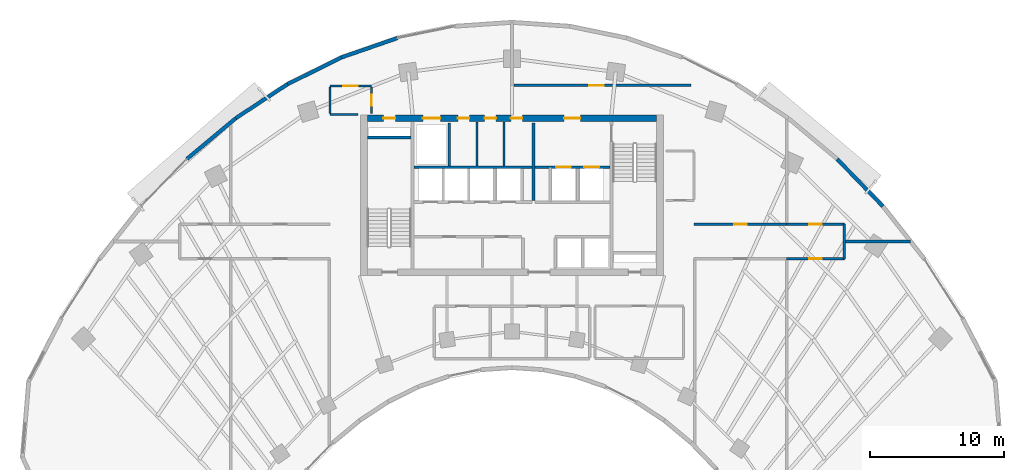
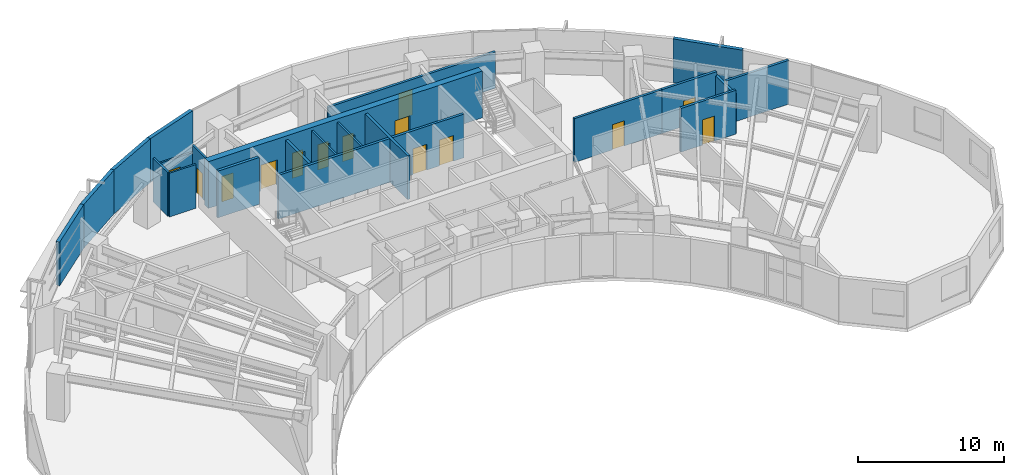
# One storey, part 10 of 14: 23 walls, 14 doors, 14 openings.
"""IFC4 building model written with IfcOpenShell, lengths in metres."""

from ifc_helpers import new_model, si_unit, direction, frame, frame_2d, origin, place, context, subcontext, project, spatial, rectangle, extrude, source, transform, mapped, material, layer, layer_set, type_object, type_shapes, element, fill, save


model = new_model("IFC4")

# Units and contexts
model_context = context("Model", 3, precision=1e-05, world=origin(), true_north=direction((0.0, 1.0)))
body_context = subcontext(model_context, "Body", "Model", "MODEL_VIEW")
ifc_project = project(units=[si_unit("LENGTHUNIT", "METRE"), si_unit("AREAUNIT", "SQUARE_METRE"), si_unit("VOLUMEUNIT", "CUBIC_METRE"), si_unit("PLANEANGLEUNIT", "RADIAN"), si_unit("MASSUNIT", "GRAM", prefix="KILO")], contexts=[model_context])

# Site, building, storey
site_placement = place(None, origin())
site = spatial("IfcSite", under=ifc_project, at=site_placement, CompositionType="ELEMENT")
building_placement = place(site_placement, origin())
building = spatial("IfcBuilding", under=site, at=building_placement, Name="Breltana Convention Tower", CompositionType="ELEMENT")
storey_placement = place(building_placement, frame((0.0, 0.0, 111.60009765625)))
storey = spatial("IfcBuildingStorey", under=building, at=storey_placement, Name="L26", CompositionType="ELEMENT", Elevation=111.60009765625)

# Wall, openings, doors
ifc_material_1 = material(Name="Concrete C60/75", Category="concrete")
ifc_layer_1 = layer(ifc_material_1, 0.5, Name="Concrete C60/75")
ifc_layer_set_1 = layer_set([ifc_layer_1], Name="Concrete C60/75")
wall_type_1 = type_object("IfcWallType", Name="SW-CORE-500", PredefinedType="SHEAR", material=ifc_layer_set_1)
shared_shape_1 = source(origin(), body_context, "Body", "SweptSolid", [
    extrude(rectangle(XDim=21.60009765625, YDim=0.5, at=frame_2d((10.800048828125, 0.0))), origin(), (0.0, 0.0, 1.0), 3.89990234375),
])
wall_1_placement = place(storey_placement, frame((37.199951171875, 71.949951171875, 0.0), z_axis=(0.0, 0.0, 1.0), x_axis=(1.0, 0.0, 0.0)))
wall_1 = element("IfcWall", 1, at=wall_1_placement, inside=storey, type_object=wall_type_1, Name="L26 North Core Shear Wall", PredefinedType="SHEAR", context=body_context, shape_type="MappedRepresentation", body=[
    mapped(shared_shape_1, transform((0.0, 0.0, 0.0), scale=1.0)),
])
opening_1_placement = place(wall_1_placement, frame((1.199951171875, 0.0, 0.0)))
opening_1 = element("IfcOpeningElement", 2, at=opening_1_placement, cuts=wall_1, Name="Opening D-18", PredefinedType="OPENING", context=body_context, shape_type="SweptSolid", body=[
    extrude(rectangle(XDim=0.89990234375, YDim=2.10009765625, at=frame_2d((0.449951171875, 1.050048828125))), frame((0.0, 0.260009765625, 0.0), z_axis=(0.0, -1.0, 0.0), x_axis=(1.0, 0.0, 0.0)), (0.0, 0.0, 1.0), 0.52001953125),
])
opening_2_placement = place(wall_1_placement, frame((14.699951171875, 0.0, 0.0)))
opening_2 = element("IfcOpeningElement", 3, at=opening_2_placement, cuts=wall_1, Name="Opening D-09", PredefinedType="OPENING", context=body_context, shape_type="SweptSolid", body=[
    extrude(rectangle(XDim=1.199951171875, YDim=2.14990234375, at=frame_2d((0.60009765625, 1.074951171875))), frame((0.0, 0.260009765625, 0.0), z_axis=(0.0, -1.0, 0.0), x_axis=(1.0, 0.0, 0.0)), (0.0, 0.0, 1.0), 0.52001953125),
])
opening_3_placement = place(wall_1_placement, frame((4.14990234375, 0.0, 0.0)))
opening_3 = element("IfcOpeningElement", 4, at=opening_3_placement, cuts=wall_1, Name="Opening LD-01", PredefinedType="OPENING", context=body_context, shape_type="SweptSolid", body=[
    extrude(rectangle(XDim=1.300048828125, YDim=2.14990234375, at=frame_2d((0.64990234375, 1.074951171875))), frame((0.0, 0.260009765625, 0.0), z_axis=(0.0, -1.0, 0.0), x_axis=(1.0, 0.0, 0.0)), (0.0, 0.0, 1.0), 0.52001953125),
])
opening_4_placement = place(wall_1_placement, frame((6.760009765625, 0.0, 0.0)))
opening_4 = element("IfcOpeningElement", 5, at=opening_4_placement, cuts=wall_1, Name="Opening D-20", PredefinedType="OPENING", context=body_context, shape_type="SweptSolid", body=[
    extrude(rectangle(XDim=0.85009765625, YDim=2.10009765625, at=frame_2d((0.425048828125, 1.050048828125))), frame((0.0, 0.260009765625, 0.0), z_axis=(0.0, -1.0, 0.0), x_axis=(1.0, 0.0, 0.0)), (0.0, 0.0, 1.0), 0.52001953125),
])
opening_5_placement = place(wall_1_placement, frame((8.760009765625, 0.0, 0.0)))
opening_5 = element("IfcOpeningElement", 6, at=opening_5_placement, cuts=wall_1, Name="Opening D-20", PredefinedType="OPENING", context=body_context, shape_type="SweptSolid", body=[
    extrude(rectangle(XDim=0.85009765625, YDim=2.10009765625, at=frame_2d((0.425048828125, 1.050048828125))), frame((0.0, 0.260009765625, 0.0), z_axis=(0.0, -1.0, 0.0), x_axis=(1.0, 0.0, 0.0)), (0.0, 0.0, 1.0), 0.52001953125),
])
opening_6_placement = place(wall_1_placement, frame((10.72509765625, 0.0, 0.0)))
opening_6 = element("IfcOpeningElement", 7, at=opening_6_placement, cuts=wall_1, Name="Opening D-20", PredefinedType="OPENING", context=body_context, shape_type="SweptSolid", body=[
    extrude(rectangle(XDim=0.85009765625, YDim=2.10009765625, at=frame_2d((0.425048828125, 1.050048828125))), frame((0.0, 0.260009765625, 0.0), z_axis=(0.0, -1.0, 0.0), x_axis=(1.0, 0.0, 0.0)), (0.0, 0.0, 1.0), 0.52001953125),
])
ifc_material_2 = material(Name="Steel Riser Fire Door", Category="steel")
door_type_1 = type_object("IfcDoorType", Name="DR-FD60-900", OperationType="NOTDEFINED", PredefinedType="DOOR", material=ifc_material_2)
shared_shape_2 = source(origin(), body_context, "Body", "SweptSolid", [
    extrude(rectangle(XDim=0.89990234375, YDim=2.10009765625, at=frame_2d((0.449951171875, 1.050048828125))), frame((0.0, 0.02490234375, 0.0), z_axis=(0.0, -1.0, 0.0), x_axis=(1.0, 0.0, 0.0)), (0.0, 0.0, 1.0), 0.050048828125),
])
type_shapes(door_type_1, [shared_shape_2])
door_1_placement = place(opening_1_placement, origin())
door_1 = element("IfcDoor", 8, at=door_1_placement, inside=storey, type_object=door_type_1, Name="L26 Core Riser Access Door D-L26-RS1", OperationType="SINGLE_SWING_LEFT", OverallHeight=2.10009765625, OverallWidth=0.89990234375, PredefinedType="DOOR", context=body_context, shape_type="MappedRepresentation", body=[
    mapped(shared_shape_2, transform((0.0, 0.0, 0.0), scale=1.0)),
])
fill(opening_1, door_1)
ifc_material_3 = material(Name="Steel Fire Lobby Door", Category="steel")
door_type_2 = type_object("IfcDoorType", Name="DR-FD120-1200", OperationType="NOTDEFINED", PredefinedType="DOOR", material=ifc_material_3)
shared_shape_3 = source(origin(), body_context, "Body", "SweptSolid", [
    extrude(rectangle(XDim=1.199951171875, YDim=2.14990234375, at=frame_2d((0.60009765625, 1.074951171875))), frame((0.0, 0.02490234375, 0.0), z_axis=(0.0, -1.0, 0.0), x_axis=(1.0, 0.0, 0.0)), (0.0, 0.0, 1.0), 0.050048828125),
])
type_shapes(door_type_2, [shared_shape_3])
door_2_placement = place(opening_2_placement, origin())
door_2 = element("IfcDoor", 9, at=door_2_placement, inside=storey, type_object=door_type_2, Name="L26 interior door D-L26-FFL-N", OperationType="SINGLE_SWING_RIGHT", OverallHeight=2.14990234375, OverallWidth=1.199951171875, PredefinedType="DOOR", context=body_context, shape_type="MappedRepresentation", body=[
    mapped(shared_shape_3, transform((0.0, 0.0, 0.0), scale=1.0)),
])
fill(opening_2, door_2)
ifc_material_4 = material(Name="Stainless Steel Brushed", Category="steel")
door_type_3 = type_object("IfcDoorType", Name="DR-LD-SRV-1300", OperationType="DOUBLE_DOOR_SLIDING", PredefinedType="DOOR", material=ifc_material_4)
shared_shape_4 = source(origin(), body_context, "Body", "SweptSolid", [
    extrude(rectangle(XDim=1.300048828125, YDim=2.14990234375, at=frame_2d((0.64990234375, 1.074951171875))), frame((0.0, 0.02490234375, 0.0), z_axis=(0.0, -1.0, 0.0), x_axis=(1.0, 0.0, 0.0)), (0.0, 0.0, 1.0), 0.050048828125),
])
type_shapes(door_type_3, [shared_shape_4])
door_3_placement = place(opening_3_placement, origin())
door_3 = element("IfcDoor", 10, at=door_3_placement, inside=storey, type_object=door_type_3, Name="L26 Lift Landing Door D-L26-LD-SV1", OperationType="DOUBLE_DOOR_SLIDING", OverallHeight=2.14990234375, OverallWidth=1.300048828125, PredefinedType="DOOR", context=body_context, shape_type="MappedRepresentation", body=[
    mapped(shared_shape_4, transform((0.0, 0.0, 0.0), scale=1.0)),
])
fill(opening_3, door_3)
ifc_material_5 = material(Name="Steel Closet Fire Door", Category="steel")
door_type_4 = type_object("IfcDoorType", Name="DR-FD60-850", OperationType="NOTDEFINED", PredefinedType="DOOR", material=ifc_material_5)
shared_shape_5 = source(origin(), body_context, "Body", "SweptSolid", [
    extrude(rectangle(XDim=0.85009765625, YDim=2.10009765625, at=frame_2d((0.425048828125, 1.050048828125))), frame((0.0, 0.02490234375, 0.0), z_axis=(0.0, -1.0, 0.0), x_axis=(1.0, 0.0, 0.0)), (0.0, 0.0, 1.0), 0.050048828125),
])
type_shapes(door_type_4, [shared_shape_5])
door_4_placement = place(opening_4_placement, origin())
door_4 = element("IfcDoor", 11, at=door_4_placement, inside=storey, type_object=door_type_4, Name="L26 interior door D-L26-CRA1", OperationType="SINGLE_SWING_RIGHT", OverallHeight=2.10009765625, OverallWidth=0.85009765625, PredefinedType="DOOR", context=body_context, shape_type="MappedRepresentation", body=[
    mapped(shared_shape_5, transform((0.0, 0.0, 0.0), scale=1.0)),
])
fill(opening_4, door_4)
door_5_placement = place(opening_5_placement, origin())
door_5 = element("IfcDoor", 12, at=door_5_placement, inside=storey, type_object=door_type_4, Name="L26 interior door D-L26-CRA2", OperationType="SINGLE_SWING_LEFT", OverallHeight=2.10009765625, OverallWidth=0.85009765625, PredefinedType="DOOR", context=body_context, shape_type="MappedRepresentation", body=[
    mapped(shared_shape_5, transform((0.0, 0.0, 0.0), scale=1.0)),
])
fill(opening_5, door_5)
door_6_placement = place(opening_6_placement, origin())
door_6 = element("IfcDoor", 13, at=door_6_placement, inside=storey, type_object=door_type_4, Name="L26 interior door D-L26-CRA3", OperationType="SINGLE_SWING_RIGHT", OverallHeight=2.10009765625, OverallWidth=0.85009765625, PredefinedType="DOOR", context=body_context, shape_type="MappedRepresentation", body=[
    mapped(shared_shape_5, transform((0.0, 0.0, 0.0), scale=1.0)),
])
fill(opening_6, door_6)

# Walls
ifc_material_6 = material(Name="Concrete C50/60", Category="concrete")
ifc_layer_2 = layer(ifc_material_6, 0.39990234375, Name="Concrete C50/60")
ifc_layer_set_2 = layer_set([ifc_layer_2], Name="Concrete C50/60")
wall_type_2 = type_object("IfcWallType", Name="SW-CORE-400", PredefinedType="SHEAR", material=ifc_layer_set_2)
shared_shape_6 = source(origin(), body_context, "Body", "SweptSolid", [
    extrude(rectangle(XDim=3.27001953125, YDim=0.219970703125, at=frame_2d((1.635009765625, 0.0))), origin(), (0.0, 0.0, 1.0), 3.89990234375),
])
wall_2_placement = place(storey_placement, frame((37.199951171875, 70.510009765625, 0.0), z_axis=(0.0, 0.0, 1.0), x_axis=(1.0, 0.0, 0.0)))
element("IfcWall", 14, at=wall_2_placement, inside=storey, type_object=wall_type_2, Name="L26 ST-1 Stairwell North Bearing Wall", PredefinedType="SHEAR", context=body_context, shape_type="MappedRepresentation", body=[
    mapped(shared_shape_6, transform((0.0, 0.0, 0.0), scale=1.0)),
])
ifc_material_7 = material(Name="Limestone Buff Insulated Wall", Category="masonry")
ifc_layer_3 = layer(ifc_material_7, 0.280029296875, Name="Limestone Buff Insulated Wall")
ifc_layer_set_3 = layer_set([ifc_layer_3], Name="Limestone Buff Insulated Wall")
wall_type_3 = type_object("IfcWallType", Name="WL-EXT-NOSE-280", PredefinedType="SOLIDWALL", material=ifc_layer_set_3)
shared_shape_7 = source(origin(), body_context, "Body", "SweptSolid", [
    extrude(rectangle(XDim=4.908447265625, YDim=0.280029296875, at=frame_2d((2.4541015625, 0.0))), origin(), (0.0, 0.0, 1.0), 3.64990234375),
])
wall_3_placement = place(storey_placement, frame((72.275390625, 68.907470703125, 0.0), z_axis=(0.0, 0.0, 1.0), x_axis=(0.694613154328, -0.719383462302, 0.0)))
element("IfcWall", 15, at=wall_3_placement, inside=storey, type_object=wall_type_3, Name="L26 curved limestone nose wall E31", PredefinedType="SOLIDWALL", context=body_context, shape_type="MappedRepresentation", body=[
    mapped(shared_shape_7, transform((0.0, 0.0, 0.0), scale=1.0)),
])
shared_shape_8 = source(origin(), body_context, "Body", "SweptSolid", [
    extrude(rectangle(XDim=4.76220703125, YDim=0.280029296875, at=frame_2d((2.381103515625, 0.0))), origin(), (0.0, 0.0, 1.0), 3.64990234375),
])
wall_4_placement = place(storey_placement, frame((23.724609375, 68.907470703125, 0.0), z_axis=(0.0, 0.0, 1.0), x_axis=(0.767952279762, 0.640507061638, 0.0)))
element("IfcWall", 16, at=wall_4_placement, inside=storey, type_object=wall_type_3, Name="L26 curved limestone nose wall E21", PredefinedType="SOLIDWALL", context=body_context, shape_type="MappedRepresentation", body=[
    mapped(shared_shape_8, transform((0.0, 0.0, 0.0), scale=1.0)),
])
shared_shape_9 = source(origin(), body_context, "Body", "SweptSolid", [
    extrude(rectangle(XDim=4.625732421875, YDim=0.280029296875, at=frame_2d((2.31298828125, 0.0))), origin(), (0.0, 0.0, 1.0), 3.64990234375),
])
wall_5_placement = place(storey_placement, frame((27.3818359375, 71.957763671875, 0.0), z_axis=(0.0, 0.0, 1.0), x_axis=(0.83595938331, 0.548791316855, 0.0)))
element("IfcWall", 17, at=wall_5_placement, inside=storey, type_object=wall_type_3, Name="L26 curved limestone nose wall E22", PredefinedType="SOLIDWALL", context=body_context, shape_type="MappedRepresentation", body=[
    mapped(shared_shape_9, transform((0.0, 0.0, 0.0), scale=1.0)),
])
shared_shape_10 = source(origin(), body_context, "Body", "SweptSolid", [
    extrude(rectangle(XDim=4.408935546875, YDim=0.280029296875, at=frame_2d((2.20458984375, 0.0))), origin(), (0.0, 0.0, 1.0), 3.64990234375),
])
wall_6_placement = place(storey_placement, frame((35.28564453125, 76.497314453125, 0.0), z_axis=(0.0, 0.0, 1.0), x_axis=(0.944879374121, 0.327418643881, 0.0)))
element("IfcWall", 18, at=wall_6_placement, inside=storey, type_object=wall_type_3, Name="L26 curved limestone nose wall E24", PredefinedType="SOLIDWALL", context=body_context, shape_type="MappedRepresentation", body=[
    mapped(shared_shape_10, transform((0.0, 0.0, 0.0), scale=1.0)),
])
shared_shape_11 = source(origin(), body_context, "Body", "SweptSolid", [
    extrude(rectangle(XDim=4.505615234375, YDim=0.280029296875, at=frame_2d((2.2529296875, 0.0))), origin(), (0.0, 0.0, 1.0), 3.64990234375),
])
wall_7_placement = place(storey_placement, frame((31.248779296875, 74.496337890625, 0.0), z_axis=(0.0, 0.0, 1.0), x_axis=(0.89597155075, 0.444111450254, 0.0)))
element("IfcWall", 19, at=wall_7_placement, inside=storey, type_object=wall_type_3, Name="L26 curved limestone nose wall E23", PredefinedType="SOLIDWALL", context=body_context, shape_type="MappedRepresentation", body=[
    mapped(shared_shape_11, transform((0.0, 0.0, 0.0), scale=1.0)),
])

# Wall, openings, doors
ifc_material_8 = material(Name="Autoclaved Aerated Concrete Block", Category="concrete")
ifc_layer_4 = layer(ifc_material_8, 0.199951171875, Name="Autoclaved Aerated Concrete Block")
ifc_layer_set_4 = layer_set([ifc_layer_4], Name="Autoclaved Aerated Concrete Block")
wall_type_4 = type_object("IfcWallType", Name="WL-SHAFT-200", PredefinedType="SOLIDWALL", material=ifc_layer_set_4)
shared_shape_12 = source(origin(), body_context, "Body", "SweptSolid", [
    extrude(rectangle(XDim=5.6201171875, YDim=0.199951171875, at=frame_2d((2.81005859375, 0.0))), origin(), (0.0, 0.0, 1.0), 3.64990234375),
])
wall_8_placement = place(storey_placement, frame((49.699951171875, 68.300048828125, 0.0), z_axis=(0.0, 0.0, 1.0), x_axis=(1.0, 0.0, 0.0)))
wall_8 = element("IfcWall", 20, at=wall_8_placement, inside=storey, type_object=wall_type_4, Name="L26 interior partition W-L26-FFL-S", PredefinedType="SOLIDWALL", context=body_context, shape_type="MappedRepresentation", body=[
    mapped(shared_shape_12, transform((0.0, 0.0, 0.0), scale=1.0)),
])
opening_7_placement = place(wall_8_placement, frame((1.60009765625, 0.0, 0.0)))
opening_7 = element("IfcOpeningElement", 21, at=opening_7_placement, cuts=wall_8, Name="Opening LD-03", PredefinedType="OPENING", context=body_context, shape_type="SweptSolid", body=[
    extrude(rectangle(XDim=1.10009765625, YDim=2.14990234375, at=frame_2d((0.550048828125, 1.074951171875))), frame((0.0, 0.10986328125, 0.0), z_axis=(0.0, -1.0, 0.0), x_axis=(1.0, 0.0, 0.0)), (0.0, 0.0, 1.0), 0.219970703125),
])
opening_8_placement = place(wall_8_placement, frame((3.699951171875, 0.0, 0.0)))
opening_8 = element("IfcOpeningElement", 22, at=opening_8_placement, cuts=wall_8, Name="Opening LD-03", PredefinedType="OPENING", context=body_context, shape_type="SweptSolid", body=[
    extrude(rectangle(XDim=1.10009765625, YDim=2.14990234375, at=frame_2d((0.550048828125, 1.074951171875))), frame((0.0, 0.10986328125, 0.0), z_axis=(0.0, -1.0, 0.0), x_axis=(1.0, 0.0, 0.0)), (0.0, 0.0, 1.0), 0.219970703125),
])
door_type_5 = type_object("IfcDoorType", Name="DR-LD-FF-1100", OperationType="DOUBLE_DOOR_SLIDING", PredefinedType="DOOR", material=ifc_material_4)
shared_shape_13 = source(origin(), body_context, "Body", "SweptSolid", [
    extrude(rectangle(XDim=1.10009765625, YDim=2.14990234375, at=frame_2d((0.550048828125, 1.074951171875))), frame((0.0, 0.02490234375, 0.0), z_axis=(0.0, -1.0, 0.0), x_axis=(1.0, 0.0, 0.0)), (0.0, 0.0, 1.0), 0.050048828125),
])
type_shapes(door_type_5, [shared_shape_13])
door_7_placement = place(opening_7_placement, origin())
door_7 = element("IfcDoor", 23, at=door_7_placement, inside=storey, type_object=door_type_5, Name="L26 Lift Landing Door D-L26-LD-FL1", OperationType="DOUBLE_DOOR_SLIDING", OverallHeight=2.14990234375, OverallWidth=1.10009765625, PredefinedType="DOOR", context=body_context, shape_type="MappedRepresentation", body=[
    mapped(shared_shape_13, transform((0.0, 0.0, 0.0), scale=1.0)),
])
fill(opening_7, door_7)
door_8_placement = place(opening_8_placement, origin())
door_8 = element("IfcDoor", 24, at=door_8_placement, inside=storey, type_object=door_type_5, Name="L26 Lift Landing Door D-L26-LD-FL2", OperationType="DOUBLE_DOOR_SLIDING", OverallHeight=2.14990234375, OverallWidth=1.10009765625, PredefinedType="DOOR", context=body_context, shape_type="MappedRepresentation", body=[
    mapped(shared_shape_13, transform((0.0, 0.0, 0.0), scale=1.0)),
])
fill(opening_8, door_8)

# Walls
shared_shape_14 = source(origin(), body_context, "Body", "SweptSolid", [
    extrude(rectangle(XDim=5.800048828125, YDim=0.199951171875, at=frame_2d((2.89990234375, 0.0))), origin(), (0.0, 0.0, 1.0), 3.64990234375),
])
wall_9_placement = place(storey_placement, frame((49.60009765625, 65.800048828125, 0.0), z_axis=(0.0, 0.0, 1.0), x_axis=(0.0, 1.0, 0.0)))
element("IfcWall", 25, at=wall_9_placement, inside=storey, type_object=wall_type_4, Name="L26 interior partition W-L26-FFL-W", PredefinedType="SOLIDWALL", context=body_context, shape_type="MappedRepresentation", body=[
    mapped(shared_shape_14, transform((0.0, 0.0, 0.0), scale=1.0)),
])
shared_shape_15 = source(origin(), body_context, "Body", "SweptSolid", [
    extrude(rectangle(XDim=3.2001953125, YDim=0.199951171875, at=frame_2d((1.60009765625, 0.0))), origin(), (0.0, 0.0, 1.0), 3.64990234375),
])
wall_10_placement = place(storey_placement, frame((43.320068359375, 68.39990234375, 0.0), z_axis=(0.0, 0.0, 1.0), x_axis=(0.0, 1.0, 0.0)))
element("IfcWall", 26, at=wall_10_placement, inside=storey, type_object=wall_type_4, Name="L26 interior partition W-L26-SV-E", PredefinedType="SOLIDWALL", context=body_context, shape_type="MappedRepresentation", body=[
    mapped(shared_shape_15, transform((0.0, 0.0, 0.0), scale=1.0)),
])
shared_shape_16 = source(origin(), body_context, "Body", "SweptSolid", [
    extrude(rectangle(XDim=8.800048828125, YDim=0.199951171875, at=frame_2d((4.39990234375, 0.0))), origin(), (0.0, 0.0, 1.0), 3.64990234375),
])
wall_11_placement = place(storey_placement, frame((40.699951171875, 68.300048828125, 0.0), z_axis=(0.0, 0.0, 1.0), x_axis=(1.0, 0.0, 0.0)))
element("IfcWall", 27, at=wall_11_placement, inside=storey, type_object=wall_type_4, Name="L26 interior partition W-L26-SV-S", PredefinedType="SOLIDWALL", context=body_context, shape_type="MappedRepresentation", body=[
    mapped(shared_shape_16, transform((0.0, 0.0, 0.0), scale=1.0)),
])
ifc_material_9 = material(Name="Gypsum Acoustic Drywall Partition")
ifc_layer_5 = layer(ifc_material_9, 0.14990234375, Name="Gypsum Acoustic Drywall Partition")
ifc_layer_set_5 = layer_set([ifc_layer_5], Name="Gypsum Acoustic Drywall Partition")
wall_type_5 = type_object("IfcWallType", Name="WL-PART-150", PredefinedType="PARTITIONING", material=ifc_layer_set_5)
shared_shape_17 = source(origin(), body_context, "Body", "SweptSolid", [
    extrude(rectangle(XDim=3.280029296875, YDim=0.14990234375, at=frame_2d((1.64013671875, 0.0))), origin(), (0.0, 0.0, 1.0), 3.64990234375),
])
for number, where, z_axis, x_axis, name in (
    (28, (45.39990234375, 68.39990234375, 0.0), (0.0, 0.0, 1.0), (0.0, 1.0, 0.0), "L26 interior partition W-L26-KV-1"),
    (29, (47.39990234375, 68.39990234375, 0.0), (0.0, 0.0, 1.0), (0.0, 1.0, 0.0), "L26 interior partition W-L26-KV-2"),
):
    element("IfcWall", number, at=place(storey_placement, frame(where, z_axis=z_axis, x_axis=x_axis)), inside=storey, type_object=wall_type_5, Name=name, PredefinedType="PARTITIONING", context=body_context, shape_type="MappedRepresentation", body=[
        mapped(shared_shape_17, transform((0.0, 0.0, 0.0), scale=1.0)),
    ])
shared_shape_18 = source(origin(), body_context, "Body", "SweptSolid", [
    extrude(rectangle(XDim=2.10009765625, YDim=0.14990234375, at=frame_2d((1.050048828125, 0.0))), origin(), (0.0, 0.0, 1.0), 3.64990234375),
])
wall_12_placement = place(storey_placement, frame((34.39990234375, 72.219970703125, 0.0), z_axis=(0.0, 0.0, 1.0), x_axis=(1.0, 0.0, 0.0)))
element("IfcWall", 30, at=wall_12_placement, inside=storey, type_object=wall_type_5, Name="L26 interior partition W-L26-CRNE-S", PredefinedType="PARTITIONING", context=body_context, shape_type="MappedRepresentation", body=[
    mapped(shared_shape_18, transform((0.0, 0.0, 0.0), scale=1.0)),
])
shared_shape_19 = source(origin(), body_context, "Body", "SweptSolid", [
    extrude(rectangle(XDim=1.994873046875, YDim=0.14990234375, at=frame_2d((0.99755859375, 0.0))), origin(), (0.0, 0.0, 1.0), 3.64990234375),
])
wall_13_placement = place(storey_placement, frame((34.39990234375, 72.28759765625, 0.0), z_axis=(0.0, 0.0, 1.0), x_axis=(0.0, 1.0, 0.0)))
element("IfcWall", 31, at=wall_13_placement, inside=storey, type_object=wall_type_5, Name="L26 interior partition W-L26-CRNE-W", PredefinedType="PARTITIONING", context=body_context, shape_type="MappedRepresentation", body=[
    mapped(shared_shape_19, transform((0.0, 0.0, 0.0), scale=1.0)),
])

# Wall, opening, door
shared_shape_20 = source(origin(), body_context, "Body", "SweptSolid", [
    extrude(rectangle(XDim=1.982421875, YDim=0.14990234375, at=frame_2d((0.9912109375, 0.0))), origin(), (0.0, 0.0, 1.0), 3.64990234375),
])
wall_14_placement = place(storey_placement, frame((37.5, 72.300048828125, 0.0), z_axis=(0.0, 0.0, 1.0), x_axis=(0.0, 1.0, 0.0)))
wall_14 = element("IfcWall", 32, at=wall_14_placement, inside=storey, type_object=wall_type_5, Name="L26 interior partition W-L26-CRNE-E", PredefinedType="PARTITIONING", context=body_context, shape_type="MappedRepresentation", body=[
    mapped(shared_shape_20, transform((0.0, 0.0, 0.0), scale=1.0)),
])
opening_9_placement = place(wall_14_placement, frame((0.56640625, 0.0, 0.0)))
opening_9 = element("IfcOpeningElement", 33, at=opening_9_placement, cuts=wall_14, Name="Opening D-20", PredefinedType="OPENING", context=body_context, shape_type="SweptSolid", body=[
    extrude(rectangle(XDim=0.85009765625, YDim=2.10009765625, at=frame_2d((0.425048828125, 1.050048828125))), frame((0.0, 0.0849609375, 0.0), z_axis=(0.0, -1.0, 0.0), x_axis=(1.0, 0.0, 0.0)), (0.0, 0.0, 1.0), 0.169921875),
])
door_9_placement = place(opening_9_placement, origin())
door_9 = element("IfcDoor", 34, at=door_9_placement, inside=storey, type_object=door_type_4, Name="L26 interior door D-L26-CRNE", OperationType="SINGLE_SWING_LEFT", OverallHeight=2.10009765625, OverallWidth=0.85009765625, PredefinedType="DOOR", context=body_context, shape_type="MappedRepresentation", body=[
    mapped(shared_shape_5, transform((0.0, 0.0, 0.0), scale=1.0)),
])
fill(opening_9, door_9)

ifc_material_10 = material(Name="Gypsum Acoustic Hotel Wall")
ifc_layer_6 = layer(ifc_material_10, 0.195068359375, Name="Gypsum Acoustic Hotel Wall")
ifc_layer_set_6 = layer_set([ifc_layer_6], Name="Gypsum Acoustic Hotel Wall")
wall_type_6 = type_object("IfcWallType", Name="WL-HOTEL-200", PredefinedType="PARTITIONING", material=ifc_layer_set_6)
shared_shape_21 = source(origin(), body_context, "Body", "SweptSolid", [
    extrude(rectangle(XDim=13.2001953125, YDim=0.195068359375, at=frame_2d((6.60009765625, 0.0))), origin(), (0.0, 0.0, 1.0), 3.02197265625),
])
wall_15_placement = place(storey_placement, frame((48.14990234375, 74.39990234375, 0.0), z_axis=(0.0, 0.0, 1.0), x_axis=(1.0, 0.0, 0.0)))
wall_15 = element("IfcWall", 35, at=wall_15_placement, inside=storey, type_object=wall_type_6, Name="L26 interior partition W-L26-ZN2-S", PredefinedType="PARTITIONING", context=body_context, shape_type="MappedRepresentation", body=[
    mapped(shared_shape_21, transform((0.0, 0.0, 0.0), scale=1.0)),
])
opening_10_placement = place(wall_15_placement, frame((5.60009765625, 0.0, 0.0)))
opening_10 = element("IfcOpeningElement", 36, at=opening_10_placement, cuts=wall_15, Name="Opening D-12", PredefinedType="OPENING", context=body_context, shape_type="SweptSolid", body=[
    extrude(rectangle(XDim=1.10009765625, YDim=2.14990234375, at=frame_2d((0.550048828125, 1.074951171875))), frame((0.0, 0.107421875, 0.0), z_axis=(0.0, -1.0, 0.0), x_axis=(1.0, 0.0, 0.0)), (0.0, 0.0, 1.0), 0.215087890625),
])
ifc_material_11 = material(Name="Timber Oak Acoustic Door", Category="wood")
door_type_6 = type_object("IfcDoorType", Name="DR-INT-1100", OperationType="NOTDEFINED", PredefinedType="DOOR", material=ifc_material_11)
shared_shape_22 = source(origin(), body_context, "Body", "SweptSolid", [
    extrude(rectangle(XDim=1.10009765625, YDim=2.14990234375, at=frame_2d((0.550048828125, 1.074951171875))), frame((0.0, 0.02490234375, 0.0), z_axis=(0.0, -1.0, 0.0), x_axis=(1.0, 0.0, 0.0)), (0.0, 0.0, 1.0), 0.050048828125),
])
type_shapes(door_type_6, [shared_shape_22])
door_10_placement = place(opening_10_placement, origin())
door_10 = element("IfcDoor", 37, at=door_10_placement, inside=storey, type_object=door_type_6, Name="L26 interior door D-L26-ZN2", OperationType="SINGLE_SWING_RIGHT", OverallHeight=2.14990234375, OverallWidth=1.10009765625, PredefinedType="DOOR", context=body_context, shape_type="MappedRepresentation", body=[
    mapped(shared_shape_22, transform((0.0, 0.0, 0.0), scale=1.0)),
])
fill(opening_10, door_10)

# Wall
shared_shape_23 = source(origin(), body_context, "Body", "SweptSolid", [
    extrude(rectangle(XDim=2.6201171875, YDim=0.195068359375, at=frame_2d((1.31005859375, 0.0))), origin(), (0.0, 0.0, 1.0), 3.323974609375),
])
wall_16_placement = place(storey_placement, frame((72.820068359375, 61.43994140625, 0.0), z_axis=(0.0, 0.0, 1.0), x_axis=(0.0, 1.0, 0.0)))
element("IfcWall", 38, at=wall_16_placement, inside=storey, type_object=wall_type_6, Name="L26 interior partition W-L26-ZFE-CAP", PredefinedType="PARTITIONING", context=body_context, shape_type="MappedRepresentation", body=[
    mapped(shared_shape_23, transform((0.0, 0.0, 0.0), scale=1.0)),
])

# Wall, opening, door
shared_shape_24 = source(origin(), body_context, "Body", "SweptSolid", [
    extrude(rectangle(XDim=3.10009765625, YDim=0.14990234375, at=frame_2d((1.550048828125, 0.0))), origin(), (0.0, 0.0, 1.0), 3.02197265625),
])
wall_17_placement = place(storey_placement, frame((34.39990234375, 74.35009765625, 0.0), z_axis=(0.0, 0.0, 1.0), x_axis=(1.0, 0.0, 0.0)))
wall_17 = element("IfcWall", 39, at=wall_17_placement, inside=storey, type_object=wall_type_5, Name="L26 interior partition W-L26-CRNE-N", PredefinedType="PARTITIONING", context=body_context, shape_type="MappedRepresentation", body=[
    mapped(shared_shape_24, transform((0.0, 0.0, 0.0), scale=1.0)),
])
opening_11_placement = place(wall_17_placement, frame((1.0, 0.0, 0.0)))
opening_11 = element("IfcOpeningElement", 40, at=opening_11_placement, cuts=wall_17, Name="Opening D-12", PredefinedType="OPENING", context=body_context, shape_type="SweptSolid", body=[
    extrude(rectangle(XDim=1.10009765625, YDim=2.14990234375, at=frame_2d((0.550048828125, 1.074951171875))), frame((0.0, 0.0849609375, 0.0), z_axis=(0.0, -1.0, 0.0), x_axis=(1.0, 0.0, 0.0)), (0.0, 0.0, 1.0), 0.169921875),
])
door_11_placement = place(opening_11_placement, origin())
door_11 = element("IfcDoor", 41, at=door_11_placement, inside=storey, type_object=door_type_6, Name="L26 interior door D-L26-ZN1", OperationType="SINGLE_SWING_LEFT", OverallHeight=2.14990234375, OverallWidth=1.10009765625, PredefinedType="DOOR", context=body_context, shape_type="MappedRepresentation", body=[
    mapped(shared_shape_22, transform((0.0, 0.0, 0.0), scale=1.0)),
])
fill(opening_11, door_11)

shared_shape_25 = source(origin(), body_context, "Body", "SweptSolid", [
    extrude(rectangle(XDim=6.89990234375, YDim=0.195068359375, at=frame_2d((3.449951171875, 0.0))), origin(), (0.0, 0.0, 1.0), 3.64990234375),
])
wall_18_placement = place(storey_placement, frame((61.60009765625, 64.0400390625, 0.0), z_axis=(0.0, 0.0, 1.0), x_axis=(1.0, 0.0, 0.0)))
wall_18 = element("IfcWall", 42, at=wall_18_placement, inside=storey, type_object=wall_type_6, Name="L26 interior partition W-L26-ZEN1-D", PredefinedType="PARTITIONING", context=body_context, shape_type="MappedRepresentation", body=[
    mapped(shared_shape_25, transform((0.0, 0.0, 0.0), scale=1.0)),
])
opening_12_placement = place(wall_18_placement, frame((2.97509765625, 0.0, 0.0)))
opening_12 = element("IfcOpeningElement", 43, at=opening_12_placement, cuts=wall_18, Name="Opening D-17", PredefinedType="OPENING", context=body_context, shape_type="SweptSolid", body=[
    extrude(rectangle(XDim=0.949951171875, YDim=2.10009765625, at=frame_2d((0.47509765625, 1.050048828125))), frame((0.0, 0.107421875, 0.0), z_axis=(0.0, -1.0, 0.0), x_axis=(1.0, 0.0, 0.0)), (0.0, 0.0, 1.0), 0.215087890625),
])
ifc_material_12 = material(Name="Timber Oak Veneer Door", Category="wood")
door_type_7 = type_object("IfcDoorType", Name="DR-INT-950", OperationType="NOTDEFINED", PredefinedType="DOOR", material=ifc_material_12)
shared_shape_26 = source(origin(), body_context, "Body", "SweptSolid", [
    extrude(rectangle(XDim=0.949951171875, YDim=2.10009765625, at=frame_2d((0.47509765625, 1.050048828125))), frame((0.0, 0.02490234375, 0.0), z_axis=(0.0, -1.0, 0.0), x_axis=(1.0, 0.0, 0.0)), (0.0, 0.0, 1.0), 0.050048828125),
])
type_shapes(door_type_7, [shared_shape_26])
door_12_placement = place(opening_12_placement, origin())
door_12 = element("IfcDoor", 44, at=door_12_placement, inside=storey, type_object=door_type_7, Name="L26 interior door D-L26-ZEN1", OperationType="SINGLE_SWING_LEFT", OverallHeight=2.10009765625, OverallWidth=0.949951171875, PredefinedType="DOOR", context=body_context, shape_type="MappedRepresentation", body=[
    mapped(shared_shape_26, transform((0.0, 0.0, 0.0), scale=1.0)),
])
fill(opening_12, door_12)

shared_shape_27 = source(origin(), body_context, "Body", "SweptSolid", [
    extrude(rectangle(XDim=4.320068359375, YDim=0.195068359375, at=frame_2d((2.16015625, 0.0))), origin(), (0.0, 0.0, 1.0), 3.64990234375),
])
wall_19_placement = place(storey_placement, frame((68.5, 64.0400390625, 0.0), z_axis=(0.0, 0.0, 1.0), x_axis=(1.0, 0.0, 0.0)))
wall_19 = element("IfcWall", 45, at=wall_19_placement, inside=storey, type_object=wall_type_6, Name="L26 interior partition W-L26-ZEN2-D", PredefinedType="PARTITIONING", context=body_context, shape_type="MappedRepresentation", body=[
    mapped(shared_shape_27, transform((0.0, 0.0, 0.0), scale=1.0)),
])
opening_13_placement = place(wall_19_placement, frame((1.68505859375, 0.0, 0.0)))
opening_13 = element("IfcOpeningElement", 46, at=opening_13_placement, cuts=wall_19, Name="Opening D-17", PredefinedType="OPENING", context=body_context, shape_type="SweptSolid", body=[
    extrude(rectangle(XDim=0.949951171875, YDim=2.10009765625, at=frame_2d((0.47509765625, 1.050048828125))), frame((0.0, 0.107421875, 0.0), z_axis=(0.0, -1.0, 0.0), x_axis=(1.0, 0.0, 0.0)), (0.0, 0.0, 1.0), 0.215087890625),
])
door_13_placement = place(opening_13_placement, origin())
door_13 = element("IfcDoor", 47, at=door_13_placement, inside=storey, type_object=door_type_7, Name="L26 interior door D-L26-ZEN2", OperationType="SINGLE_SWING_RIGHT", OverallHeight=2.10009765625, OverallWidth=0.949951171875, PredefinedType="DOOR", context=body_context, shape_type="MappedRepresentation", body=[
    mapped(shared_shape_26, transform((0.0, 0.0, 0.0), scale=1.0)),
])
fill(opening_13, door_13)

wall_20_placement = place(storey_placement, frame((68.5, 61.4599609375, 0.0), z_axis=(0.0, 0.0, 1.0), x_axis=(1.0, 0.0, 0.0)))
wall_20 = element("IfcWall", 48, at=wall_20_placement, inside=storey, type_object=wall_type_6, Name="L26 interior partition W-L26-ZES2-D", PredefinedType="PARTITIONING", context=body_context, shape_type="MappedRepresentation", body=[
    mapped(shared_shape_27, transform((0.0, 0.0, 0.0), scale=1.0)),
])
opening_14_placement = place(wall_20_placement, frame((1.68505859375, 0.0, 0.0)))
opening_14 = element("IfcOpeningElement", 49, at=opening_14_placement, cuts=wall_20, Name="Opening D-17", PredefinedType="OPENING", context=body_context, shape_type="SweptSolid", body=[
    extrude(rectangle(XDim=0.949951171875, YDim=2.10009765625, at=frame_2d((0.47509765625, 1.050048828125))), frame((0.0, 0.107421875, 0.0), z_axis=(0.0, -1.0, 0.0), x_axis=(1.0, 0.0, 0.0)), (0.0, 0.0, 1.0), 0.215087890625),
])
door_14_placement = place(opening_14_placement, origin())
door_14 = element("IfcDoor", 50, at=door_14_placement, inside=storey, type_object=door_type_7, Name="L26 interior door D-L26-ZES2", OperationType="SINGLE_SWING_RIGHT", OverallHeight=2.10009765625, OverallWidth=0.949951171875, PredefinedType="DOOR", context=body_context, shape_type="MappedRepresentation", body=[
    mapped(shared_shape_26, transform((0.0, 0.0, 0.0), scale=1.0)),
])
fill(opening_14, door_14)

# Wall
shared_shape_28 = source(origin(), body_context, "Body", "SweptSolid", [
    extrude(rectangle(XDim=4.91748046875, YDim=0.195068359375, at=frame_2d((2.458740234375, 0.0))), origin(), (0.0, 0.0, 1.0), 3.64990234375),
])
wall_21_placement = place(storey_placement, frame((72.820068359375, 62.75, 0.0), z_axis=(0.0, 0.0, 1.0), x_axis=(1.0, 0.0, 0.0)))
element("IfcWall", 51, at=wall_21_placement, inside=storey, type_object=wall_type_6, Name="L26 interior partition W-L26-ZFE-EXT", PredefinedType="PARTITIONING", context=body_context, shape_type="MappedRepresentation", body=[
    mapped(shared_shape_28, transform((0.0, 0.0, 0.0), scale=1.0)),
])

save(model, "model.ifc")
